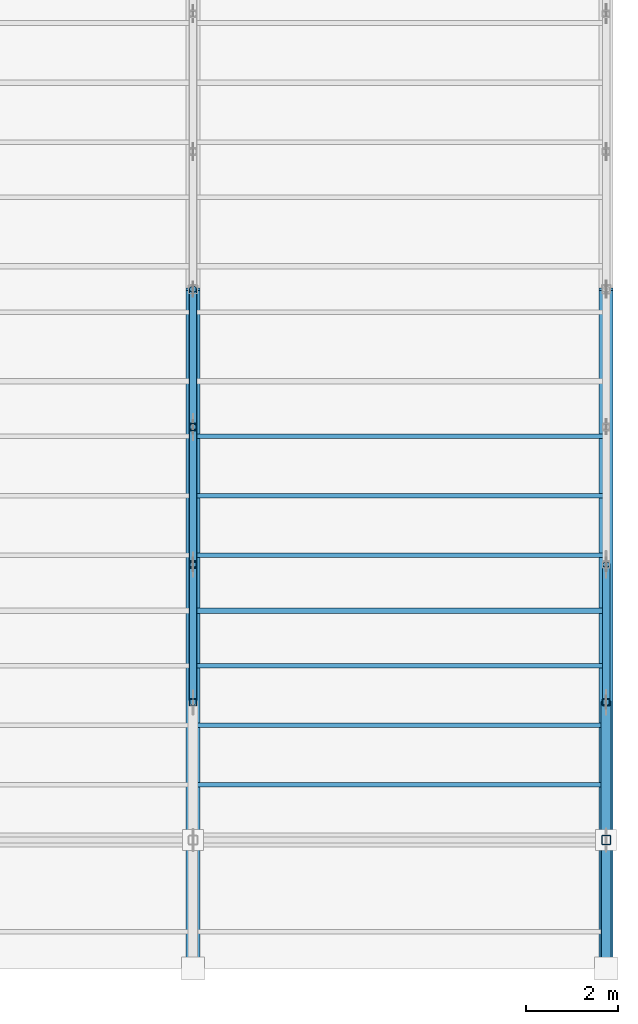
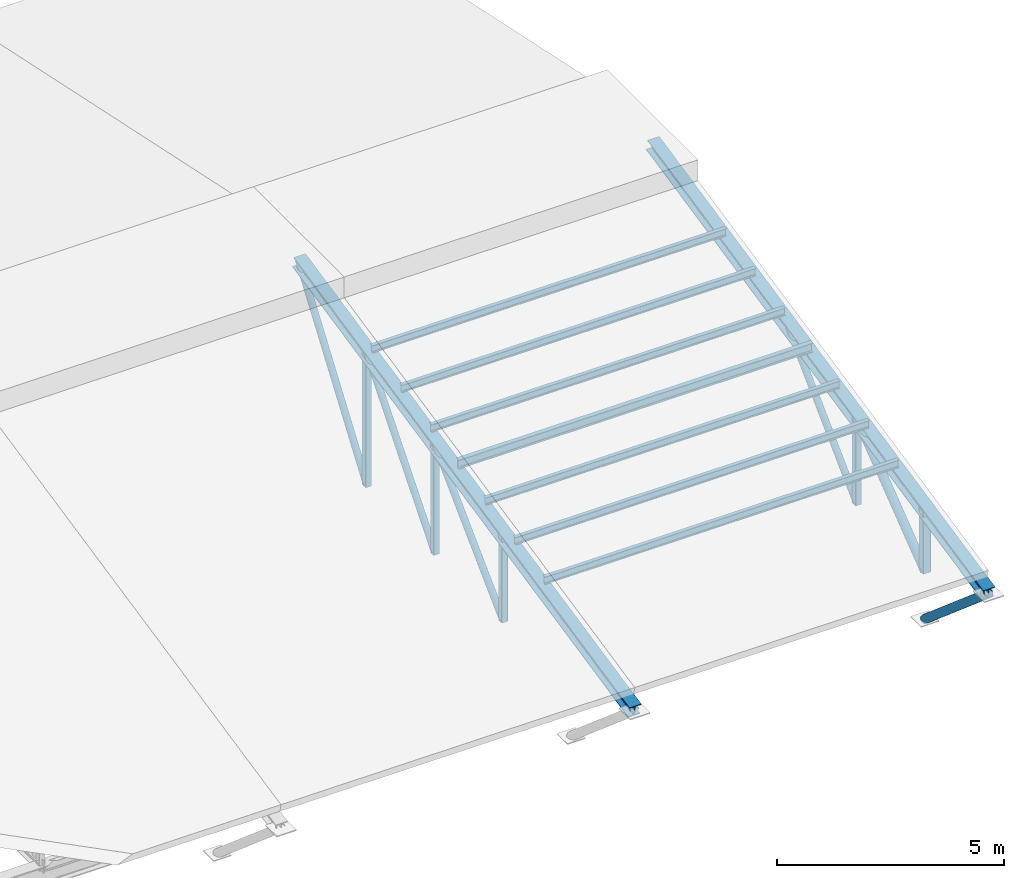
# One storey, part 25 of 43: 20 members.
"""IFC4 building model written with IfcOpenShell, lengths in metres."""

from ifc_helpers import new_model, si_unit, direction, frame, origin, origin_2d, place, context, subcontext, project, spatial, hollow_rectangle, hollow_circle, i_section, extrude, material, material_profile, profile_set, type_object, element, save


model = new_model("IFC4")

# Units and contexts
model_context = context("Model", 3, precision=1e-05, world=origin(), true_north=direction((0.0, 1.0)))
body_context = subcontext(model_context, "Body", "Model", "MODEL_VIEW")
ifc_project = project(units=[si_unit("LENGTHUNIT", "METRE"), si_unit("AREAUNIT", "SQUARE_METRE"), si_unit("VOLUMEUNIT", "CUBIC_METRE"), si_unit("PLANEANGLEUNIT", "RADIAN"), si_unit("MASSUNIT", "GRAM", prefix="KILO")], contexts=[model_context])

# Site, building, storey
site_placement = place(None, origin())
site = spatial("IfcSite", under=ifc_project, at=site_placement, CompositionType="ELEMENT")
building_placement = place(site_placement, origin())
building = spatial("IfcBuilding", under=site, at=building_placement, Name="Serraforn Aerial Cableway Station", CompositionType="ELEMENT")
storey_placement = place(building_placement, frame((0.0, 0.0, 18.300048828125)))
storey = spatial("IfcBuildingStorey", under=building, at=storey_placement, Name="RF", CompositionType="ELEMENT", Elevation=18.300048828125)

# Members
ifc_material_1 = material(Name="Steel S355J2", Category="steel")
ifc_material_profile_1 = material_profile(ifc_material_1, hollow_circle(Radius=0.084228515625, WallThickness=0.008056640625, at=origin_2d()), Name="CHS 168.3x8.0")
ifc_profile_set_1 = profile_set([ifc_material_profile_1], Name="Steel S355J2")
member_type_1 = type_object("IfcMemberType", Name="MEM-DG-CHS168", PredefinedType="BRACE", material=ifc_profile_set_1)
member_1_placement = place(storey_placement, frame((81.60009765625, 21.0, -1.35009765625), z_axis=(0.0, 0.71294245933, 0.701222539344), x_axis=(-1.0, 0.0, 0.0)))
element("IfcMember", 1, at=member_1_placement, inside=storey, type_object=member_type_1, Name="Roof Truss TR-07 Diagonal 2", PredefinedType="BRACE", context=body_context, shape_type="SweptSolid", body=[
    extrude(hollow_circle(Radius=0.084228515625, WallThickness=0.008056640625, at=origin_2d()), origin(), (0.0, 0.0, 1.0), 4.2080078125),
])
member_2_placement = place(storey_placement, frame((81.60009765625, 24.0, -1.35009765625), z_axis=(0.0, 0.641405529785, 0.767202024477), x_axis=(-1.0, 0.0, 0.0)))
element("IfcMember", 2, at=member_2_placement, inside=storey, type_object=member_type_1, Name="Roof Truss TR-07 Diagonal 3", PredefinedType="BRACE", context=body_context, shape_type="SweptSolid", body=[
    extrude(hollow_circle(Radius=0.084228515625, WallThickness=0.008056640625, at=origin_2d()), origin(), (0.0, 0.0, 1.0), 4.67724609375),
])
member_3_placement = place(storey_placement, frame((81.60009765625, 27.0, -1.35009765625), z_axis=(0.0, 0.578856146563, 0.815429679118), x_axis=(-1.0, 0.0, 0.0)))
element("IfcMember", 3, at=member_3_placement, inside=storey, type_object=member_type_1, Name="Roof Truss TR-07 Diagonal 4", PredefinedType="BRACE", context=body_context, shape_type="SweptSolid", body=[
    extrude(hollow_circle(Radius=0.084228515625, WallThickness=0.008056640625, at=origin_2d()), origin(), (0.0, 0.0, 1.0), 5.1826171875),
])
member_4_placement = place(storey_placement, frame((90.60009765625, 21.0, -1.35009765625), z_axis=(0.0, 0.71294245933, 0.701222539344), x_axis=(-1.0, 0.0, 0.0)))
element("IfcMember", 4, at=member_4_placement, inside=storey, type_object=member_type_1, Name="Roof Truss TR-08 Diagonal 2", PredefinedType="BRACE", context=body_context, shape_type="SweptSolid", body=[
    extrude(hollow_circle(Radius=0.084228515625, WallThickness=0.008056640625, at=origin_2d()), origin(), (0.0, 0.0, 1.0), 4.2080078125),
])
ifc_material_profile_2 = material_profile(ifc_material_1, hollow_circle(Radius=0.109619140625, WallThickness=0.010009765625, at=origin_2d()), Name="CHS 219.1x10.0")
ifc_profile_set_2 = profile_set([ifc_material_profile_2], Name="Steel S355J2")
member_type_2 = type_object("IfcMemberType", Name="MEM-DG-CHS219", PredefinedType="BRACE", material=ifc_profile_set_2)
member_5_placement = place(storey_placement, frame((90.60009765625, 18.0, -2.650146484375), z_axis=(0.0, -0.760584469832, 0.649238988548), x_axis=(1.0, 0.0, 0.0)))
element("IfcMember", 5, at=member_5_placement, inside=storey, type_object=member_type_2, Name="Roof Truss TR-08 Eave Knee Strut ES", PredefinedType="BRACE", context=body_context, shape_type="SweptSolid", body=[
    extrude(hollow_circle(Radius=0.109619140625, WallThickness=0.010009765625, at=origin_2d()), origin(), (0.0, 0.0, 1.0), 3.681396484375),
])
member_6_placement = place(storey_placement, frame((90.60009765625, 18.0, -1.35009765625), z_axis=(0.0, 0.791947867333, 0.610588712168), x_axis=(-1.0, 0.0, 0.0)))
element("IfcMember", 6, at=member_6_placement, inside=storey, type_object=member_type_2, Name="Roof Truss TR-08 Diagonal 1", PredefinedType="BRACE", context=body_context, shape_type="SweptSolid", body=[
    extrude(hollow_circle(Radius=0.109619140625, WallThickness=0.010009765625, at=origin_2d()), origin(), (0.0, 0.0, 1.0), 3.7880859375),
])
ifc_material_2 = material(Name="Steel S355JR", Category="steel")
ifc_material_profile_3 = material_profile(ifc_material_2, i_section(OverallWidth=0.10009765625, OverallDepth=0.199951171875, WebThickness=0.005615234375, FlangeThickness=0.008544921875, FilletRadius=0.011962890625, at=origin_2d()), Name="IPE 200")
ifc_profile_set_3 = profile_set([ifc_material_profile_3], Name="Steel S355JR")
member_type_3 = type_object("IfcMemberType", Name="MEM-PR-IPE200", PredefinedType="PURLIN", material=ifc_profile_set_3)
for number, where, z_axis, x_axis, name in (
    (7, (81.60009765625, 20.5, 1.1005859375), (1.0, 0.0, 0.0), (0.0, 1.0, 0.0), "Boarding Hall Purlin 7-3"),
    (8, (81.60009765625, 25.5, 2.163330078125), (1.0, 0.0, 0.0), (0.0, 1.0, 0.0), "Boarding Hall Purlin 7-5"),
    (9, (81.60009765625, 19.199951171875, 0.824462890625), (1.0, 0.0, 0.0), (0.0, 1.0, 0.0), "Boarding Hall Secondary Purlin 7-1"),
    (10, (81.60009765625, 21.800048828125, 1.376953125), (1.0, 0.0, 0.0), (0.0, 1.0, 0.0), "Boarding Hall Secondary Purlin 7-2"),
    (11, (81.60009765625, 24.199951171875, 1.88720703125), (1.0, 0.0, 0.0), (0.0, 1.0, 0.0), "Boarding Hall Secondary Purlin 7-3"),
    (12, (81.60009765625, 26.800048828125, 2.439697265625), (1.0, 0.0, 0.0), (0.0, 1.0, 0.0), "Boarding Hall Secondary Purlin 7-4"),
):
    element("IfcMember", number, at=place(storey_placement, frame(where, z_axis=z_axis, x_axis=x_axis)), inside=storey, type_object=member_type_3, Name=name, PredefinedType="PURLIN", context=body_context, shape_type="SweptSolid", body=[
        extrude(i_section(OverallWidth=0.10009765625, OverallDepth=0.199951171875, WebThickness=0.005615234375, FlangeThickness=0.008544921875, FilletRadius=0.011962890625, at=origin_2d()), origin(), (0.0, 0.0, 1.0), 9.0),
    ])
ifc_material_profile_4 = material_profile(ifc_material_2, i_section(OverallWidth=0.1201171875, OverallDepth=0.239990234375, WebThickness=0.006103515625, FlangeThickness=0.009765625, FilletRadius=0.014892578125, at=origin_2d()), Name="IPE 240")
ifc_profile_set_4 = profile_set([ifc_material_profile_4], Name="Steel S355JR")
member_type_4 = type_object("IfcMemberType", Name="MEM-PR-IPE240", PredefinedType="PURLIN", material=ifc_profile_set_4)
member_7_placement = place(storey_placement, frame((81.60009765625, 23.0, 1.652099609375), z_axis=(1.0, 0.0, 0.0), x_axis=(0.0, 1.0, 0.0)))
element("IfcMember", 13, at=member_7_placement, inside=storey, type_object=member_type_4, Name="Boarding Hall Purlin 7-4", PredefinedType="PURLIN", context=body_context, shape_type="SweptSolid", body=[
    extrude(i_section(OverallWidth=0.1201171875, OverallDepth=0.239990234375, WebThickness=0.006103515625, FlangeThickness=0.009765625, FilletRadius=0.014892578125, at=origin_2d()), origin(), (0.0, 0.0, 1.0), 9.0),
])
ifc_material_profile_5 = material_profile(ifc_material_1, i_section(OverallWidth=0.300048828125, OverallDepth=0.300048828125, WebThickness=0.010986328125, FlangeThickness=0.01904296875, FilletRadius=0.027099609375, at=origin_2d()), Name="HEB 300")
ifc_profile_set_5 = profile_set([ifc_material_profile_5], Name="Steel S355J2")
member_type_5 = type_object("IfcMemberType", Name="MEM-TC-HEB300", PredefinedType="CHORD", material=ifc_profile_set_5)
for number, where, z_axis, x_axis, name in (
    (14, (81.60009765625, 15.199951171875, -0.27001953125), (0.0, 0.978145603362, 0.207921087493), (-1.0, 0.0, 0.0), "Roof Truss TR-07 Top Chord 1"),
    (15, (90.60009765625, 15.199951171875, -0.27001953125), (0.0, 0.978145603362, 0.207921087493), (-1.0, 0.0, 0.0), "Roof Truss TR-08 Top Chord 1"),
):
    element("IfcMember", number, at=place(storey_placement, frame(where, z_axis=z_axis, x_axis=x_axis)), inside=storey, type_object=member_type_5, Name=name, PredefinedType="CHORD", context=body_context, shape_type="SweptSolid", body=[
        extrude(i_section(OverallWidth=0.300048828125, OverallDepth=0.300048828125, WebThickness=0.010986328125, FlangeThickness=0.01904296875, FilletRadius=0.027099609375, at=origin_2d()), origin(), (0.0, 0.0, 1.0), 15.130615234375),
    ])
ifc_material_profile_6 = material_profile(ifc_material_1, hollow_rectangle(XDim=0.159912109375, YDim=0.159912109375, WallThickness=0.008056640625, InnerFilletRadius=0.008056640625, OuterFilletRadius=0.01611328125, at=origin_2d()), Name="SHS 160x160x8.0")
ifc_profile_set_6 = profile_set([ifc_material_profile_6], Name="Steel S355J2")
member_type_6 = type_object("IfcMemberType", Name="MEM-VP-SHS160", PredefinedType="STRUT", material=ifc_profile_set_6)
member_8_placement = place(storey_placement, frame((81.60009765625, 21.0, -1.360107421875), z_axis=(0.0, 0.0, 1.0), x_axis=(1.0, 0.0, 0.0)))
element("IfcMember", 16, at=member_8_placement, inside=storey, type_object=member_type_6, Name="Roof Truss TR-07 Vertical Post 2", PredefinedType="STRUT", context=body_context, shape_type="SweptSolid", body=[
    extrude(hollow_rectangle(XDim=0.159912109375, YDim=0.159912109375, WallThickness=0.008056640625, InnerFilletRadius=0.008056640625, OuterFilletRadius=0.01611328125, at=origin_2d()), origin(), (0.0, 0.0, 1.0), 2.3330078125),
])
member_9_placement = place(storey_placement, frame((81.60009765625, 24.0, -1.360107421875), z_axis=(0.0, 0.0, 1.0), x_axis=(1.0, 0.0, 0.0)))
element("IfcMember", 17, at=member_9_placement, inside=storey, type_object=member_type_6, Name="Roof Truss TR-07 Vertical Post 3", PredefinedType="STRUT", context=body_context, shape_type="SweptSolid", body=[
    extrude(hollow_rectangle(XDim=0.159912109375, YDim=0.159912109375, WallThickness=0.008056640625, InnerFilletRadius=0.008056640625, OuterFilletRadius=0.01611328125, at=origin_2d()), origin(), (0.0, 0.0, 1.0), 2.970703125),
])
member_10_placement = place(storey_placement, frame((81.60009765625, 27.0, -1.360107421875), z_axis=(0.0, 0.0, 1.0), x_axis=(1.0, 0.0, 0.0)))
element("IfcMember", 18, at=member_10_placement, inside=storey, type_object=member_type_6, Name="Roof Truss TR-07 Vertical Post 4", PredefinedType="STRUT", context=body_context, shape_type="SweptSolid", body=[
    extrude(hollow_rectangle(XDim=0.159912109375, YDim=0.159912109375, WallThickness=0.008056640625, InnerFilletRadius=0.008056640625, OuterFilletRadius=0.01611328125, at=origin_2d()), origin(), (0.0, 0.0, 1.0), 3.6083984375),
])
member_11_placement = place(storey_placement, frame((90.60009765625, 21.0, -1.360107421875), z_axis=(0.0, 0.0, 1.0), x_axis=(1.0, 0.0, 0.0)))
element("IfcMember", 19, at=member_11_placement, inside=storey, type_object=member_type_6, Name="Roof Truss TR-08 Vertical Post 2", PredefinedType="STRUT", context=body_context, shape_type="SweptSolid", body=[
    extrude(hollow_rectangle(XDim=0.159912109375, YDim=0.159912109375, WallThickness=0.008056640625, InnerFilletRadius=0.008056640625, OuterFilletRadius=0.01611328125, at=origin_2d()), origin(), (0.0, 0.0, 1.0), 2.3330078125),
])
ifc_material_profile_7 = material_profile(ifc_material_1, hollow_rectangle(XDim=0.199951171875, YDim=0.199951171875, WallThickness=0.010009765625, InnerFilletRadius=0.010009765625, OuterFilletRadius=0.02001953125, at=origin_2d()), Name="SHS 200x200x10.0")
ifc_profile_set_7 = profile_set([ifc_material_profile_7], Name="Steel S355J2")
member_type_7 = type_object("IfcMemberType", Name="MEM-VP-SHS200", PredefinedType="STRUT", material=ifc_profile_set_7)
member_12_placement = place(storey_placement, frame((90.60009765625, 18.0, -1.360107421875), z_axis=(0.0, 0.0, 1.0), x_axis=(1.0, 0.0, 0.0)))
element("IfcMember", 20, at=member_12_placement, inside=storey, type_object=member_type_7, Name="Roof Truss TR-08 Vertical Post 1", PredefinedType="STRUT", context=body_context, shape_type="SweptSolid", body=[
    extrude(hollow_rectangle(XDim=0.199951171875, YDim=0.199951171875, WallThickness=0.010009765625, InnerFilletRadius=0.010009765625, OuterFilletRadius=0.02001953125, at=origin_2d()), origin(), (0.0, 0.0, 1.0), 1.6953125),
])

save(model, "model.ifc")
